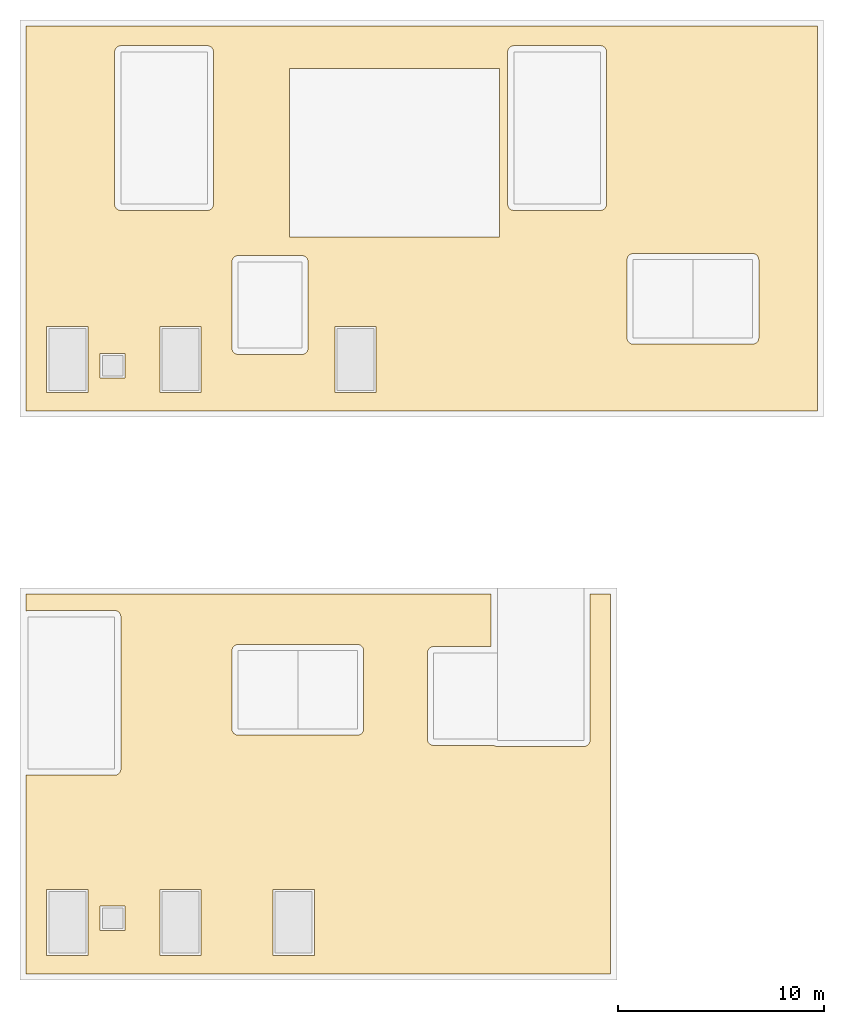
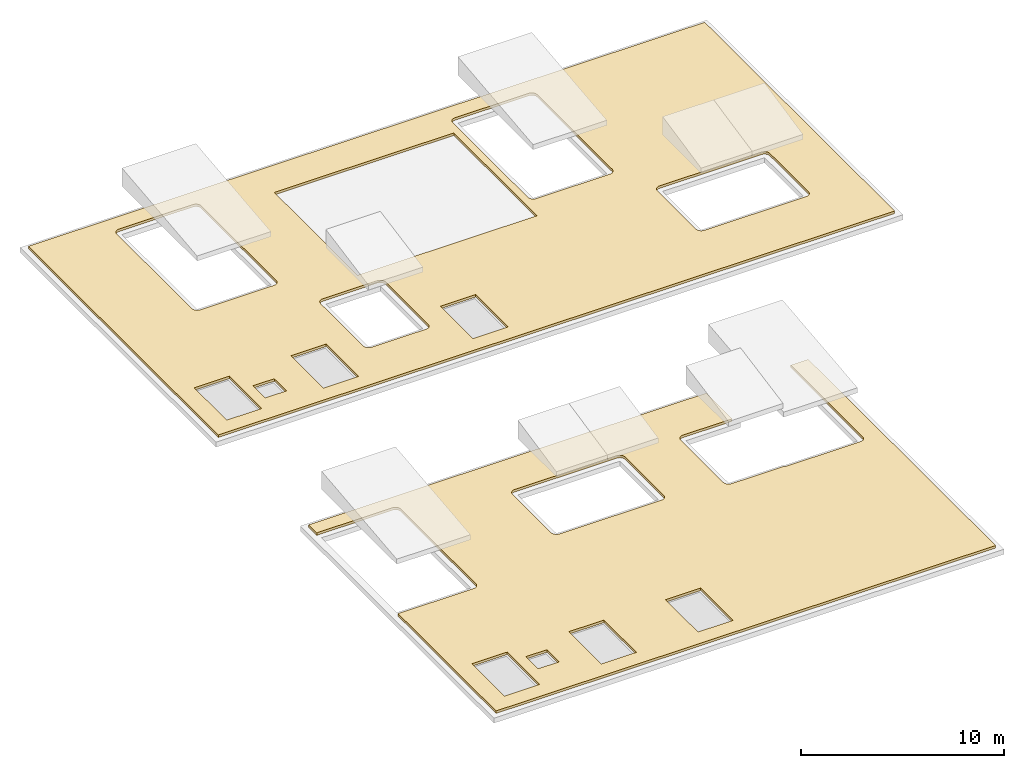
# One storey, part 2 of 2: 2 coverings.
"""IFC4 building model written with IfcOpenShell, lengths in metres."""

from ifc_helpers import new_model, si_unit, direction, frame, origin, place, context, subcontext, project, spatial, polyline, outline, extrude, material, layer, layer_set, type_object, element, save


model = new_model("IFC4")

# Units and contexts
model_context = context("Model", 3, precision=1e-05, world=origin(), true_north=direction((0.0, 1.0)))
body_context = subcontext(model_context, "Body", "Model", "MODEL_VIEW")
ifc_project = project(units=[si_unit("LENGTHUNIT", "METRE"), si_unit("AREAUNIT", "SQUARE_METRE"), si_unit("VOLUMEUNIT", "CUBIC_METRE"), si_unit("PLANEANGLEUNIT", "RADIAN"), si_unit("MASSUNIT", "GRAM", prefix="KILO")], contexts=[model_context])

# Site, building, storey
site_placement = place(None, origin())
site = spatial("IfcSite", under=ifc_project, at=site_placement, CompositionType="ELEMENT")
building_placement = place(site_placement, origin())
building = spatial("IfcBuilding", under=site, at=building_placement, Name="Nzadi Deep Aquarium and Research Tower", CompositionType="ELEMENT")
storey_placement = place(building_placement, frame((0.0, 0.0, 82.300048828125)))
storey = spatial("IfcBuildingStorey", under=building, at=storey_placement, Name="ROOF", CompositionType="ELEMENT", Elevation=82.300048828125)

# Coverings
ifc_material = material(Name="Bituminous membrane and mineral wool insulation")
ifc_layer = layer(ifc_material, 0.14990234375)
ifc_layer_set = layer_set([ifc_layer], Name="Bituminous membrane and mineral wool insulation")
covering_type = type_object("IfcCoveringType", Name="Roofing membrane and insulation 150", PredefinedType="ROOFING", material=ifc_layer_set)
covering_1_placement = place(storey_placement, origin())
element("IfcCovering", 1, at=covering_1_placement, inside=storey, type_object=covering_type, Name="Roofing", PredefinedType="ROOFING", context=body_context, shape_type="SweptSolid", body=[
    extrude(outline(polyline([(0.112548828125, 9.76318359375), (0.11279296875, 9.762939453125), (0.1416015625, 9.755859375), (0.162353515625, 9.752685546875), (0.170654296875, 9.75146484375), (0.199951171875, 9.75), (4.39990234375, 9.75), (4.429443359375, 9.75146484375), (4.45849609375, 9.755859375), (4.487060546875, 9.762939453125), (4.514892578125, 9.772705078125), (4.54150390625, 9.785400390625), (4.566650390625, 9.800537109375), (4.59033203125, 9.818115234375), (4.612060546875, 9.837890625), (4.6318359375, 9.859619140625), (4.6494140625, 9.88330078125), (4.66455078125, 9.90869140625), (4.67724609375, 9.935302734375), (4.68701171875, 9.962890625), (4.694091796875, 9.991455078125), (4.698486328125, 10.0205078125), (4.699951171875, 10.050048828125), (4.699951171875, 17.449951171875), (4.698486328125, 17.4794921875), (4.694091796875, 17.508544921875), (4.68701171875, 17.537109375), (4.67724609375, 17.564697265625), (4.66455078125, 17.59130859375), (4.6494140625, 17.61669921875), (4.6318359375, 17.640380859375), (4.612060546875, 17.662109375), (4.59033203125, 17.681884765625), (4.566650390625, 17.699462890625), (4.54150390625, 17.714599609375), (4.514892578125, 17.727294921875), (4.487060546875, 17.737060546875), (4.45849609375, 17.744140625), (4.429443359375, 17.74853515625), (4.39990234375, 17.75), (0.199951171875, 17.75), (0.170654296875, 17.74853515625), (0.1416015625, 17.744140625), (0.11279296875, 17.737060546875), (0.10009765625, 17.732421875), (0.10009765625, 18.550048828125), (22.699951171875, 18.550048828125), (22.699951171875, 16.0), (19.89990234375, 16.0), (19.87060546875, 15.99853515625), (19.841552734375, 15.994140625), (19.81298828125, 15.987060546875), (19.78515625, 15.977294921875), (19.758544921875, 15.964599609375), (19.7333984375, 15.949462890625), (19.709716796875, 15.931884765625), (19.68798828125, 15.912109375), (19.668212890625, 15.890380859375), (19.650634765625, 15.86669921875), (19.635498046875, 15.84130859375), (19.622802734375, 15.814697265625), (19.61279296875, 15.787109375), (19.605712890625, 15.758544921875), (19.601318359375, 15.7294921875), (19.60009765625, 15.699951171875), (19.60009765625, 11.5), (19.601318359375, 11.470703125), (19.605712890625, 11.44140625), (19.61279296875, 11.412841796875), (19.622802734375, 11.38525390625), (19.635498046875, 11.358642578125), (19.650634765625, 11.333251953125), (19.668212890625, 11.309814453125), (19.68798828125, 11.287841796875), (19.709716796875, 11.26806640625), (19.7333984375, 11.25048828125), (19.758544921875, 11.2353515625), (19.78515625, 11.222900390625), (19.81298828125, 11.212890625), (19.841552734375, 11.205810546875), (19.87060546875, 11.201416015625), (19.89990234375, 11.199951171875), (22.834228515625, 11.199951171875), (22.858642578125, 11.185302734375), (22.88525390625, 11.1728515625), (22.912841796875, 11.162841796875), (22.94140625, 11.15576171875), (22.970703125, 11.1513671875), (23.0, 11.14990234375), (27.199951171875, 11.14990234375), (27.2294921875, 11.1513671875), (27.258544921875, 11.15576171875), (27.287109375, 11.162841796875), (27.314697265625, 11.1728515625), (27.34130859375, 11.185302734375), (27.36669921875, 11.20068359375), (27.390380859375, 11.218017578125), (27.412109375, 11.23779296875), (27.431884765625, 11.259765625), (27.449462890625, 11.283203125), (27.464599609375, 11.30859375), (27.477294921875, 11.335205078125), (27.487060546875, 11.36279296875), (27.494140625, 11.3916015625), (27.49853515625, 11.420654296875), (27.5, 11.449951171875), (27.5, 18.550048828125), (28.5, 18.550048828125), (28.5, 0.10009765625), (0.10009765625, 0.10009765625), (0.10009765625, 9.767578125), (0.112548828125, 9.76318359375)]), holes=[polyline([(13.300048828125, 11.699951171875), (16.199951171875, 11.699951171875), (16.2294921875, 11.701416015625), (16.258544921875, 11.705810546875), (16.287109375, 11.712890625), (16.314697265625, 11.722900390625), (16.34130859375, 11.7353515625), (16.36669921875, 11.75048828125), (16.390380859375, 11.76806640625), (16.412109375, 11.787841796875), (16.431884765625, 11.809814453125), (16.449462890625, 11.833251953125), (16.464599609375, 11.858642578125), (16.477294921875, 11.88525390625), (16.487060546875, 11.912841796875), (16.494140625, 11.94140625), (16.49853515625, 11.970703125), (16.5, 12.0), (16.5, 15.800048828125), (16.49853515625, 15.829345703125), (16.494140625, 15.8583984375), (16.487060546875, 15.88720703125), (16.477294921875, 15.914794921875), (16.464599609375, 15.94140625), (16.449462890625, 15.966796875), (16.431884765625, 15.990234375), (16.412109375, 16.01220703125), (16.390380859375, 16.031982421875), (16.36669921875, 16.04931640625), (16.34130859375, 16.064697265625), (16.314697265625, 16.0771484375), (16.287109375, 16.087158203125), (16.258544921875, 16.09423828125), (16.2294921875, 16.0986328125), (16.199951171875, 16.10009765625), (13.300048828125, 16.10009765625), (10.39990234375, 16.10009765625), (10.37060546875, 16.0986328125), (10.341552734375, 16.09423828125), (10.31298828125, 16.087158203125), (10.28515625, 16.0771484375), (10.258544921875, 16.064697265625), (10.2333984375, 16.04931640625), (10.209716796875, 16.031982421875), (10.18798828125, 16.01220703125), (10.168212890625, 15.990234375), (10.150634765625, 15.966796875), (10.135498046875, 15.94140625), (10.122802734375, 15.914794921875), (10.11279296875, 15.88720703125), (10.105712890625, 15.8583984375), (10.101318359375, 15.829345703125), (10.10009765625, 15.800048828125), (10.10009765625, 12.0), (10.101318359375, 11.970703125), (10.105712890625, 11.94140625), (10.107177734375, 11.935791015625), (10.11279296875, 11.912841796875), (10.122802734375, 11.88525390625), (10.135498046875, 11.858642578125), (10.150634765625, 11.833251953125), (10.168212890625, 11.809814453125), (10.18798828125, 11.787841796875), (10.209716796875, 11.76806640625), (10.2333984375, 11.75048828125), (10.258544921875, 11.7353515625), (10.28515625, 11.722900390625), (10.31298828125, 11.712890625), (10.341552734375, 11.705810546875), (10.37060546875, 11.701416015625), (10.39990234375, 11.699951171875), (13.300048828125, 11.699951171875)]), polyline([(1.10009765625, 4.199951171875), (1.10009765625, 1.0), (3.10009765625, 1.0), (3.10009765625, 4.199951171875), (1.10009765625, 4.199951171875)]), polyline([(8.60009765625, 4.199951171875), (6.60009765625, 4.199951171875), (6.60009765625, 1.0), (8.60009765625, 1.0), (8.60009765625, 4.199951171875)]), polyline([(4.89990234375, 3.39990234375), (3.699951171875, 3.39990234375), (3.699951171875, 2.199951171875), (4.89990234375, 2.199951171875), (4.89990234375, 3.39990234375)]), polyline([(12.10009765625, 4.199951171875), (12.10009765625, 1.0), (14.10009765625, 1.0), (14.10009765625, 4.199951171875), (12.10009765625, 4.199951171875)])]), origin(), (0.0, 0.0, 1.0), 0.14990234375),
])
covering_2_placement = place(storey_placement, origin())
element("IfcCovering", 2, at=covering_2_placement, inside=storey, type_object=covering_type, Name="Roofing", PredefinedType="ROOFING", context=body_context, shape_type="SweptSolid", body=[
    extrude(outline(polyline([(0.10009765625, 46.14990234375), (38.550048828125, 46.14990234375), (38.550048828125, 27.449951171875), (0.10009765625, 27.449951171875), (0.10009765625, 46.14990234375)]), holes=[polyline([(29.300048828125, 31.0), (29.301513671875, 30.970703125), (29.305908203125, 30.94140625), (29.31298828125, 30.912841796875), (29.32275390625, 30.88525390625), (29.33544921875, 30.858642578125), (29.3505859375, 30.833251953125), (29.3681640625, 30.809814453125), (29.387939453125, 30.787841796875), (29.40966796875, 30.76806640625), (29.433349609375, 30.75048828125), (29.45849609375, 30.7353515625), (29.485107421875, 30.722900390625), (29.512939453125, 30.712890625), (29.54150390625, 30.705810546875), (29.570556640625, 30.701416015625), (29.60009765625, 30.699951171875), (32.5, 30.699951171875), (35.39990234375, 30.699951171875), (35.429443359375, 30.701416015625), (35.45849609375, 30.705810546875), (35.487060546875, 30.712890625), (35.514892578125, 30.722900390625), (35.54150390625, 30.7353515625), (35.566650390625, 30.75048828125), (35.59033203125, 30.76806640625), (35.612060546875, 30.787841796875), (35.6318359375, 30.809814453125), (35.6494140625, 30.833251953125), (35.66455078125, 30.858642578125), (35.67724609375, 30.88525390625), (35.68701171875, 30.912841796875), (35.694091796875, 30.94140625), (35.698486328125, 30.970703125), (35.699951171875, 31.0), (35.699951171875, 34.800048828125), (35.698486328125, 34.829345703125), (35.694091796875, 34.8583984375), (35.68701171875, 34.88720703125), (35.67724609375, 34.914794921875), (35.66455078125, 34.94140625), (35.6494140625, 34.966796875), (35.6318359375, 34.990234375), (35.612060546875, 35.01220703125), (35.59033203125, 35.031982421875), (35.566650390625, 35.04931640625), (35.54150390625, 35.064697265625), (35.514892578125, 35.0771484375), (35.487060546875, 35.087158203125), (35.45849609375, 35.09423828125), (35.429443359375, 35.0986328125), (35.39990234375, 35.10009765625), (32.5, 35.10009765625), (29.60009765625, 35.10009765625), (29.570556640625, 35.0986328125), (29.54150390625, 35.09423828125), (29.512939453125, 35.087158203125), (29.485107421875, 35.0771484375), (29.45849609375, 35.064697265625), (29.433349609375, 35.04931640625), (29.40966796875, 35.031982421875), (29.387939453125, 35.01220703125), (29.3681640625, 34.990234375), (29.3505859375, 34.966796875), (29.33544921875, 34.94140625), (29.32275390625, 34.914794921875), (29.31298828125, 34.88720703125), (29.305908203125, 34.8583984375), (29.301513671875, 34.829345703125), (29.300048828125, 34.800048828125), (29.300048828125, 31.0)]), polyline([(28.300048828125, 44.89990234375), (28.298583984375, 44.929443359375), (28.294189453125, 44.95849609375), (28.287109375, 44.987060546875), (28.277099609375, 45.014892578125), (28.2646484375, 45.04150390625), (28.24951171875, 45.066650390625), (28.23193359375, 45.09033203125), (28.212158203125, 45.112060546875), (28.190185546875, 45.1318359375), (28.166748046875, 45.1494140625), (28.141357421875, 45.16455078125), (28.11474609375, 45.17724609375), (28.087158203125, 45.18701171875), (28.05859375, 45.194091796875), (28.029296875, 45.198486328125), (28.0, 45.199951171875), (23.800048828125, 45.199951171875), (23.7705078125, 45.198486328125), (23.741455078125, 45.194091796875), (23.712890625, 45.18701171875), (23.685302734375, 45.17724609375), (23.65869140625, 45.16455078125), (23.63330078125, 45.1494140625), (23.609619140625, 45.1318359375), (23.587890625, 45.112060546875), (23.568115234375, 45.09033203125), (23.550537109375, 45.066650390625), (23.535400390625, 45.04150390625), (23.522705078125, 45.014892578125), (23.512939453125, 44.987060546875), (23.505859375, 44.95849609375), (23.50146484375, 44.929443359375), (23.5, 44.89990234375), (23.5, 37.5), (23.50146484375, 37.470703125), (23.505859375, 37.44140625), (23.512939453125, 37.412841796875), (23.522705078125, 37.38525390625), (23.535400390625, 37.358642578125), (23.550537109375, 37.333251953125), (23.568115234375, 37.309814453125), (23.587890625, 37.287841796875), (23.609619140625, 37.26806640625), (23.63330078125, 37.25048828125), (23.65869140625, 37.2353515625), (23.685302734375, 37.222900390625), (23.712890625, 37.212890625), (23.741455078125, 37.205810546875), (23.7705078125, 37.201416015625), (23.800048828125, 37.199951171875), (28.0, 37.199951171875), (28.029296875, 37.201416015625), (28.05859375, 37.205810546875), (28.087158203125, 37.212890625), (28.11474609375, 37.222900390625), (28.141357421875, 37.2353515625), (28.166748046875, 37.25048828125), (28.190185546875, 37.26806640625), (28.212158203125, 37.287841796875), (28.23193359375, 37.309814453125), (28.24951171875, 37.333251953125), (28.2646484375, 37.358642578125), (28.277099609375, 37.38525390625), (28.287109375, 37.412841796875), (28.294189453125, 37.44140625), (28.298583984375, 37.470703125), (28.300048828125, 37.5), (28.300048828125, 44.89990234375)]), polyline([(13.5, 30.199951171875), (13.529296875, 30.201416015625), (13.55859375, 30.205810546875), (13.587158203125, 30.212890625), (13.61474609375, 30.222900390625), (13.641357421875, 30.2353515625), (13.666748046875, 30.25048828125), (13.690185546875, 30.26806640625), (13.712158203125, 30.287841796875), (13.73193359375, 30.309814453125), (13.74951171875, 30.333251953125), (13.7646484375, 30.358642578125), (13.777099609375, 30.38525390625), (13.787109375, 30.412841796875), (13.794189453125, 30.44140625), (13.798583984375, 30.470703125), (13.800048828125, 30.5), (13.800048828125, 34.699951171875), (13.798583984375, 34.7294921875), (13.794189453125, 34.758544921875), (13.787109375, 34.787109375), (13.777099609375, 34.814697265625), (13.7646484375, 34.84130859375), (13.74951171875, 34.86669921875), (13.73193359375, 34.890380859375), (13.712158203125, 34.912109375), (13.690185546875, 34.931884765625), (13.666748046875, 34.949462890625), (13.641357421875, 34.964599609375), (13.61474609375, 34.977294921875), (13.587158203125, 34.987060546875), (13.55859375, 34.994140625), (13.529296875, 34.99853515625), (13.5, 35.0), (10.39990234375, 35.0), (10.37060546875, 34.99853515625), (10.341552734375, 34.994140625), (10.31298828125, 34.987060546875), (10.28515625, 34.977294921875), (10.258544921875, 34.964599609375), (10.2333984375, 34.949462890625), (10.209716796875, 34.931884765625), (10.18798828125, 34.912109375), (10.168212890625, 34.890380859375), (10.150634765625, 34.86669921875), (10.135498046875, 34.84130859375), (10.122802734375, 34.814697265625), (10.11279296875, 34.787109375), (10.105712890625, 34.758544921875), (10.101318359375, 34.7294921875), (10.10009765625, 34.699951171875), (10.10009765625, 30.5), (10.101318359375, 30.470703125), (10.105712890625, 30.44140625), (10.11279296875, 30.412841796875), (10.122802734375, 30.38525390625), (10.135498046875, 30.358642578125), (10.150634765625, 30.333251953125), (10.168212890625, 30.309814453125), (10.18798828125, 30.287841796875), (10.209716796875, 30.26806640625), (10.2333984375, 30.25048828125), (10.258544921875, 30.2353515625), (10.28515625, 30.222900390625), (10.31298828125, 30.212890625), (10.341552734375, 30.205810546875), (10.37060546875, 30.201416015625), (10.39990234375, 30.199951171875), (13.5, 30.199951171875)]), polyline([(4.699951171875, 45.199951171875), (4.670654296875, 45.198486328125), (4.6416015625, 45.194091796875), (4.61279296875, 45.18701171875), (4.585205078125, 45.17724609375), (4.55859375, 45.16455078125), (4.533203125, 45.1494140625), (4.509765625, 45.1318359375), (4.48779296875, 45.112060546875), (4.468017578125, 45.09033203125), (4.45068359375, 45.066650390625), (4.435302734375, 45.04150390625), (4.4228515625, 45.014892578125), (4.412841796875, 44.987060546875), (4.40576171875, 44.95849609375), (4.4013671875, 44.929443359375), (4.39990234375, 44.89990234375), (4.39990234375, 37.5), (4.4013671875, 37.470703125), (4.40576171875, 37.44140625), (4.412841796875, 37.412841796875), (4.4228515625, 37.38525390625), (4.435302734375, 37.358642578125), (4.45068359375, 37.333251953125), (4.468017578125, 37.309814453125), (4.48779296875, 37.287841796875), (4.490234375, 37.28564453125), (4.509765625, 37.26806640625), (4.533203125, 37.25048828125), (4.55859375, 37.2353515625), (4.585205078125, 37.222900390625), (4.61279296875, 37.212890625), (4.6416015625, 37.205810546875), (4.670654296875, 37.201416015625), (4.699951171875, 37.199951171875), (8.89990234375, 37.199951171875), (8.929443359375, 37.201416015625), (8.95849609375, 37.205810546875), (8.987060546875, 37.212890625), (9.014892578125, 37.222900390625), (9.04150390625, 37.2353515625), (9.066650390625, 37.25048828125), (9.09033203125, 37.26806640625), (9.112060546875, 37.287841796875), (9.1318359375, 37.309814453125), (9.1494140625, 37.333251953125), (9.16455078125, 37.358642578125), (9.17724609375, 37.38525390625), (9.18701171875, 37.412841796875), (9.194091796875, 37.44140625), (9.198486328125, 37.470703125), (9.199951171875, 37.5), (9.199951171875, 44.89990234375), (9.198486328125, 44.929443359375), (9.194091796875, 44.95849609375), (9.18701171875, 44.987060546875), (9.17724609375, 45.014892578125), (9.16455078125, 45.04150390625), (9.1494140625, 45.066650390625), (9.1318359375, 45.09033203125), (9.112060546875, 45.112060546875), (9.09033203125, 45.1318359375), (9.066650390625, 45.1494140625), (9.04150390625, 45.16455078125), (9.014892578125, 45.17724609375), (8.987060546875, 45.18701171875), (8.95849609375, 45.194091796875), (8.929443359375, 45.198486328125), (8.89990234375, 45.199951171875), (4.699951171875, 45.199951171875)]), polyline([(4.89990234375, 30.25), (3.699951171875, 30.25), (3.699951171875, 29.050048828125), (4.89990234375, 29.050048828125), (4.89990234375, 30.25)]), polyline([(3.10009765625, 31.550048828125), (1.10009765625, 31.550048828125), (1.10009765625, 28.35009765625), (3.10009765625, 28.35009765625), (3.10009765625, 31.550048828125)]), polyline([(8.60009765625, 31.550048828125), (6.60009765625, 31.550048828125), (6.60009765625, 28.35009765625), (8.60009765625, 28.35009765625), (8.60009765625, 31.550048828125)]), polyline([(17.10009765625, 31.550048828125), (15.10009765625, 31.550048828125), (15.10009765625, 28.35009765625), (17.10009765625, 28.35009765625), (17.10009765625, 31.550048828125)]), polyline([(23.10009765625, 44.10009765625), (12.89990234375, 44.10009765625), (12.89990234375, 35.89990234375), (23.10009765625, 35.89990234375), (23.10009765625, 44.10009765625)])]), origin(), (0.0, 0.0, 1.0), 0.14990234375),
])

save(model, "model.ifc")
